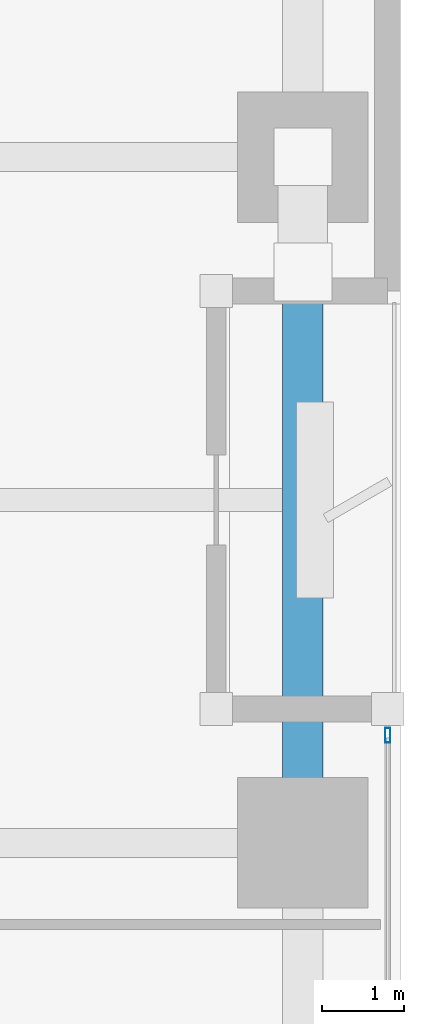
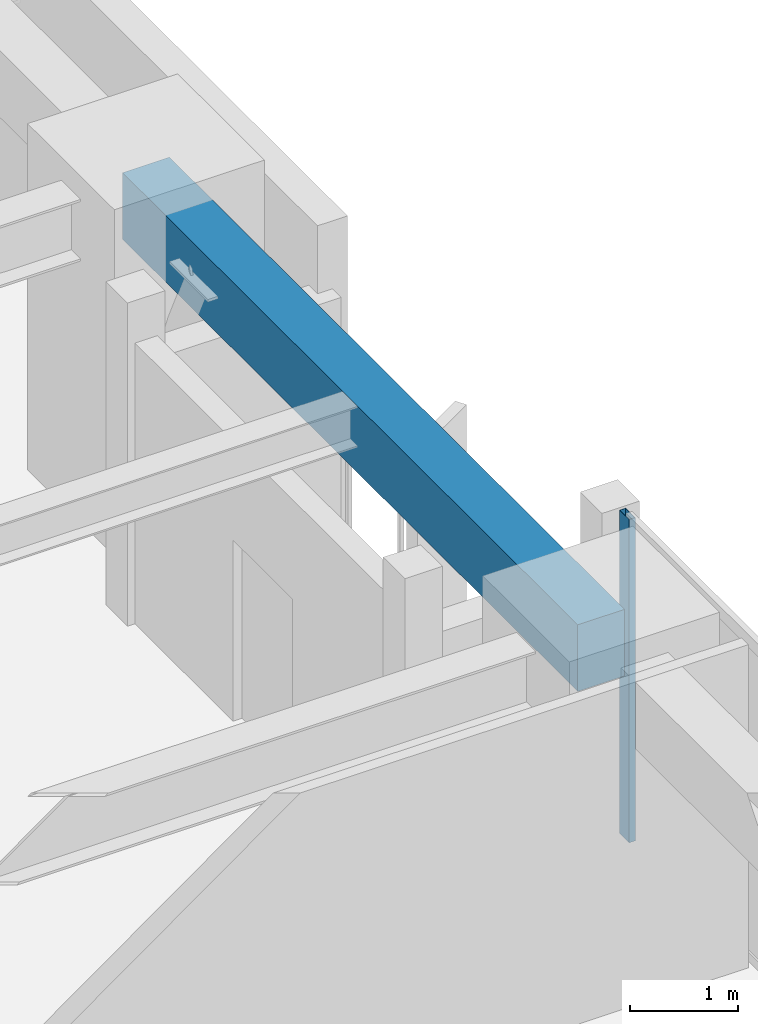
# One storey, part 10 of 29: 1 beam, 1 member, 1 element without a shape of its own.
"""IFC4 building model written with IfcOpenShell, lengths in metres."""

import ifcopenshell
import ifcopenshell.guid

model = None  # the IFC model being written
_history = None  # IfcOwnerHistory: only IFC2X3 demands one
_inside = {}  # id of a spatial element -> (the spatial element, [elements in it])
_under = {}  # id of a project, library or spatial element -> (it, [spatial elements below it])
_declared = {}  # id of a project -> (the project, [libraries it declares])
_typed = {}  # id of a type object -> (the type object, [elements of that type])
_made_of = {}  # id of a material, layer set ... -> (it, [elements and type objects made of it])


def new_model(schema):
    """Start an empty IFC model of exactly this schema.

    Asked for "IFC4X3", IfcOpenShell would pick the latest addendum, in which some entities
    have other attributes; the version numbers below select the first issue.
    IFC2X3 requires an IfcOwnerHistory on every rooted entity: one is made here for all.
    """
    global model, _history
    if schema == "IFC4X3":
        model = ifcopenshell.file(schema_version=(4, 3, 0, 0))
    else:
        model = ifcopenshell.file(schema=schema)
    _inside.clear()
    _under.clear()
    _declared.clear()
    _typed.clear()
    _made_of.clear()
    _history = None
    if model.schema == "IFC2X3":
        org = make("IfcOrganization", Name="unknown")
        user = make(
            "IfcPersonAndOrganization",
            ThePerson=make("IfcPerson", FamilyName="unknown"),
            TheOrganization=org,
        )
        app = make(
            "IfcApplication",
            ApplicationDeveloper=org,
            Version="unknown",
            ApplicationFullName="unknown",
            ApplicationIdentifier="unknown",
        )
        _history = make(
            "IfcOwnerHistory",
            OwningUser=user,
            OwningApplication=app,
            ChangeAction="ADDED",
            CreationDate=0,
        )
    return model


def make(cls, **values):
    """One entity of the class cls with the attributes given. An attribute that is None is left unset."""
    return model.create_entity(
        cls, **{name: value for name, value in values.items() if value is not None}
    )


def rooted(cls, **values):
    """An entity with a GlobalId (a new one), such as an element, a storey or a relation."""
    return make(cls, GlobalId=ifcopenshell.guid.new(), OwnerHistory=_history, **values)


def si_unit(unit_type, name, prefix=None):
    """IfcSIUnit, for example si_unit("LENGTHUNIT", "METRE", prefix="MILLI")."""
    return make("IfcSIUnit", UnitType=unit_type, Prefix=prefix, Name=name)


def assignment(units):
    """IfcUnitAssignment: the units of a project."""
    return None if units is None else make("IfcUnitAssignment", Units=units)


def point(xyz):
    """IfcCartesianPoint."""
    return None if xyz is None else make("IfcCartesianPoint", Coordinates=xyz)


def direction(xyz):
    """IfcDirection."""
    return None if xyz is None else make("IfcDirection", DirectionRatios=xyz)


def frame(location, z_axis=None, x_axis=None):
    """IfcAxis2Placement3D, a coordinate frame: its origin and axes. An axis left out is left unset."""
    return make(
        "IfcAxis2Placement3D",
        Location=point(location),
        Axis=direction(z_axis),
        RefDirection=direction(x_axis),
    )


def frame_2d(location, x_axis=None):
    """IfcAxis2Placement2D, a coordinate frame in the plane: its origin and x axis."""
    return make(
        "IfcAxis2Placement2D", Location=point(location), RefDirection=direction(x_axis)
    )


def origin():
    """The frame at (0, 0, 0) with its axes left unset."""
    return frame((0.0, 0.0, 0.0))


def origin_2d():
    """The frame at (0, 0) in the plane with its x axis left unset."""
    return frame_2d((0.0, 0.0))


def place(relative_to, where):
    """IfcLocalPlacement: puts the frame where relative to a parent placement (None: the world)."""
    return make(
        "IfcLocalPlacement", PlacementRelTo=relative_to, RelativePlacement=where
    )


def context(
    kind, dimensions, precision=None, world=None, true_north=None, identifier=None
):
    """IfcGeometricRepresentationContext, for example the 3D "Model" context."""
    return make(
        "IfcGeometricRepresentationContext",
        ContextIdentifier=identifier,
        ContextType=kind,
        CoordinateSpaceDimension=dimensions,
        Precision=precision,
        WorldCoordinateSystem=world,
        TrueNorth=true_north,
    )


def subcontext(parent, identifier, kind, view, scale=None):
    """IfcGeometricRepresentationSubContext, for example "Body" below "Model"."""
    return make(
        "IfcGeometricRepresentationSubContext",
        ContextIdentifier=identifier,
        ContextType=kind,
        ParentContext=parent,
        TargetScale=scale,
        TargetView=view,
    )


def project(units=None, contexts=None):
    """IfcProject with its units and contexts."""
    return rooted(
        "IfcProject",
        Name="project",
        RepresentationContexts=contexts,
        UnitsInContext=assignment(units),
    )


def spatial(cls, under=None, at=None, **own):
    """A site, building, storey or space (cls), placed at a placement, below another one or the project."""
    s = rooted(cls, ObjectPlacement=at, **own)
    if under is not None:
        _under.setdefault(under.id(), (under, []))[1].append(s)
    return s


def profile(cls, at=None, kind="AREA", **sizes):
    """A parametric profile (cls). Its sizes go by their IFC names, for example OverallWidth=200.0."""
    return make(cls, ProfileType=kind, Position=at, **sizes)


def rectangle(**sizes):
    """IfcRectangleProfileDef."""
    return profile("IfcRectangleProfileDef", **sizes)


def hollow_rectangle(**sizes):
    """IfcRectangleHollowProfileDef."""
    return profile("IfcRectangleHollowProfileDef", **sizes)


def extrude(swept, where, along, depth):
    """IfcExtrudedAreaSolid: the profile swept, set in the frame where, extruded along a direction by depth."""
    return make(
        "IfcExtrudedAreaSolid",
        SweptArea=swept,
        Position=where,
        ExtrudedDirection=direction(along),
        Depth=depth,
    )


def shape(context_of_items, identifier, shape_type, items):
    """IfcShapeRepresentation: the items that make up one representation, for example the "Body"."""
    return make(
        "IfcShapeRepresentation",
        ContextOfItems=context_of_items,
        RepresentationIdentifier=identifier,
        RepresentationType=shape_type,
        Items=items,
    )


def material(Name=None, Category=None):
    """IfcMaterial."""
    return make("IfcMaterial", Name=Name, Category=Category)


def layer(
    of_material, thickness, ventilated=None, Name=None, Category=None, Priority=None
):
    """IfcMaterialLayer: one layer of a wall or slab, of a material (None: an air gap)."""
    return make(
        "IfcMaterialLayer",
        Material=of_material,
        LayerThickness=thickness,
        IsVentilated=ventilated,
        Name=Name,
        Category=Category,
        Priority=Priority,
    )


def layer_set(layers, Name=None):
    """IfcMaterialLayerSet."""
    return make("IfcMaterialLayerSet", MaterialLayers=layers, LayerSetName=Name)


def material_profile(
    of_material, cross_section, Name=None, Category=None, Priority=None
):
    """IfcMaterialProfile: a cross section and its material."""
    return make(
        "IfcMaterialProfile",
        Name=Name,
        Material=of_material,
        Profile=cross_section,
        Priority=Priority,
        Category=Category,
    )


def profile_set(profiles, Name=None, composite=None):
    """IfcMaterialProfileSet."""
    return make(
        "IfcMaterialProfileSet",
        Name=Name,
        MaterialProfiles=profiles,
        CompositeProfile=composite,
    )


def made_of(thing, what):
    """Note that an element or type object is made of a material, layer set ...; save() writes the relation."""
    if what is not None:
        _made_of.setdefault(what.id(), (what, []))[1].append(thing)
    return thing


def type_object(cls, material=None, **own):
    """A type object (cls), such as IfcWallType, which elements share."""
    return made_of(rooted(cls, **own), material)


def element(
    cls,
    number,
    at=None,
    inside=None,
    cuts=None,
    type_object=None,
    material=None,
    context=None,
    identifier="Body",
    shape_type=None,
    held_by="IfcProductDefinitionShape",
    body=None,
    shapes=None,
    **own,
):
    """One element of the class cls, such as IfcWall. Its Tag is "e" and its number.

    at: its placement. inside: the storey or other place that contains it. cuts: it is an
    opening in that element (IfcRelVoidsElement). A single representation is given by context,
    identifier, shape_type and body (its items); several are given by shapes. held_by: the class
    of the entity that holds the representations. save() writes the other relations.
    """
    e = rooted(cls, Tag="e%d" % number, ObjectPlacement=at, **own)
    if body is not None:
        shapes = [shape(context, identifier, shape_type, body)]
    if shapes is not None:
        e.Representation = make(held_by, Representations=shapes)
    if inside is not None:
        _inside.setdefault(inside.id(), (inside, []))[1].append(e)
    if cuts is not None:
        rooted(
            "IfcRelVoidsElement", RelatingBuildingElement=cuts, RelatedOpeningElement=e
        )
    if type_object is not None:
        _typed.setdefault(type_object.id(), (type_object, []))[1].append(e)
    return made_of(e, material)


def aggregate(whole, parts):
    """IfcRelAggregates: a whole, such as a stair, and the parts it consists of."""
    return rooted("IfcRelAggregates", RelatingObject=whole, RelatedObjects=parts)


def save(model, path):
    """Write the relations noted so far, then the file.

    IfcRelAggregates (storeys below a building ...), IfcRelContainedInSpatialStructure (elements
    in a storey), IfcRelDefinesByType, IfcRelAssociatesMaterial and IfcRelDeclares: one each for
    every whole, place, type object, material and project.
    """
    for whole, parts in _under.values():
        aggregate(whole, parts)
    for where, things in _inside.values():
        rooted(
            "IfcRelContainedInSpatialStructure",
            RelatedElements=things,
            RelatingStructure=where,
        )
    for kind, things in _typed.values():
        rooted("IfcRelDefinesByType", RelatedObjects=things, RelatingType=kind)
    for what, things in _made_of.values():
        rooted("IfcRelAssociatesMaterial", RelatedObjects=things, RelatingMaterial=what)
    for by, libraries in _declared.values():
        rooted("IfcRelDeclares", RelatingContext=by, RelatedDefinitions=libraries)
    model.write(path)


model = new_model("IFC4")

# Units and contexts
model_context = context("Model", 3, precision=1e-05, world=origin(), true_north=direction((0.0, 1.0)))
body_context = subcontext(model_context, "Body", "Model", "MODEL_VIEW")
ifc_project = project(units=[si_unit("LENGTHUNIT", "METRE"), si_unit("AREAUNIT", "SQUARE_METRE"), si_unit("VOLUMEUNIT", "CUBIC_METRE"), si_unit("PLANEANGLEUNIT", "RADIAN"), si_unit("MASSUNIT", "GRAM", prefix="KILO")], contexts=[model_context])

# Site, building, storey
site_placement = place(None, origin())
site = spatial("IfcSite", under=ifc_project, at=site_placement, CompositionType="ELEMENT")
building_placement = place(site_placement, origin())
building = spatial("IfcBuilding", under=site, at=building_placement, Name="Kiyonajd Concourse Tower", CompositionType="ELEMENT")
storey_placement = place(building_placement, frame((0.0, 0.0, 48.89990234375)))
storey = spatial("IfcBuildingStorey", under=building, at=storey_placement, Name="L13", CompositionType="ELEMENT", Elevation=48.89990234375)

# Beam
ifc_material_1 = material(Name="Precast concrete C50/60", Category="concrete")
ifc_material_profile_1 = material_profile(ifc_material_1, rectangle(XDim=0.5, YDim=0.75, at=origin_2d()), Name="RCBM-500x750")
ifc_profile_set_1 = profile_set([ifc_material_profile_1], Name="Precast concrete C50/60")
beam_type = type_object("IfcBeamType", Name="BM-SPAN-RC", PredefinedType="SPANDREL", material=ifc_profile_set_1)
beam_placement = place(storey_placement, frame((78.0, 36.0, 3.26513671875), z_axis=(0.0, 1.0, 0.0), x_axis=(-1.0, 0.0, 0.0)))
element("IfcBeam", 1, at=beam_placement, inside=storey, type_object=beam_type, Name="L13 Perimeter Bundled Tube Spandrel", PredefinedType="SPANDREL", context=body_context, shape_type="SweptSolid", body=[
    extrude(rectangle(XDim=0.5, YDim=0.75, at=origin_2d()), origin(), (0.0, 0.0, 1.0), 8.39990234375),
])

# Curtain wall, member
ifc_material_2 = material(Name="Thermally Broken Anodised Aluminium", Category="aluminium")
ifc_layer = layer(ifc_material_2, 0.179931640625)
ifc_layer_set = layer_set([ifc_layer], Name="Thermally Broken Anodised Aluminium")
curtain_wall_type = type_object("IfcCurtainWallType", Name="CW-SYS-02", PredefinedType="NOTDEFINED", material=ifc_layer_set)
curtain_wall_placement = place(storey_placement, origin())
curtain_wall = element("IfcCurtainWall", 2, at=curtain_wall_placement, inside=storey, type_object=curtain_wall_type, Name="L13 Unitised Curtain Wall CW2", PredefinedType="NOTDEFINED")
ifc_material_profile_2 = material_profile(ifc_material_2, hollow_rectangle(XDim=0.06494140625, YDim=0.179931640625, WallThickness=0.00390625, at=origin_2d()), Name="MULL-65x180")
ifc_profile_set_2 = profile_set([ifc_material_profile_2], Name="Thermally Broken Anodised Aluminium")
member_type = type_object("IfcMemberType", Name="MB-CW-MULL1", PredefinedType="MULLION", material=ifc_profile_set_2)
member_placement = place(storey_placement, frame((79.0400390625, 37.3173828125, 0.0), z_axis=(0.0, 0.0, 1.0), x_axis=(1.0, 0.0, 0.0)))
member = element("IfcMember", 3, at=member_placement, type_object=member_type, Name="CW2 mullion 1", PredefinedType="MULLION", context=body_context, shape_type="SweptSolid", body=[
    extrude(hollow_rectangle(XDim=0.06494140625, YDim=0.179931640625, WallThickness=0.00390625, at=origin_2d()), origin(), (0.0, 0.0, 1.0), 3.64013671875),
])
aggregate(curtain_wall, [member])

save(model, "model.ifc")
